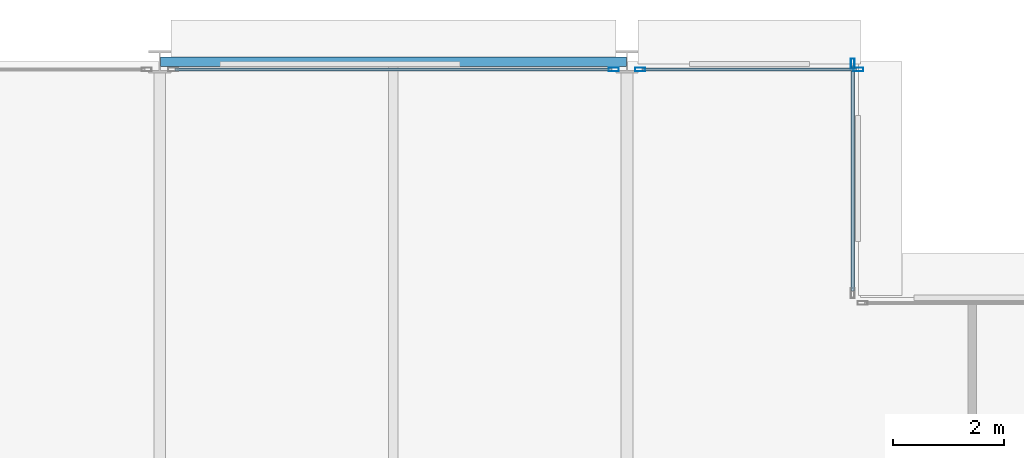
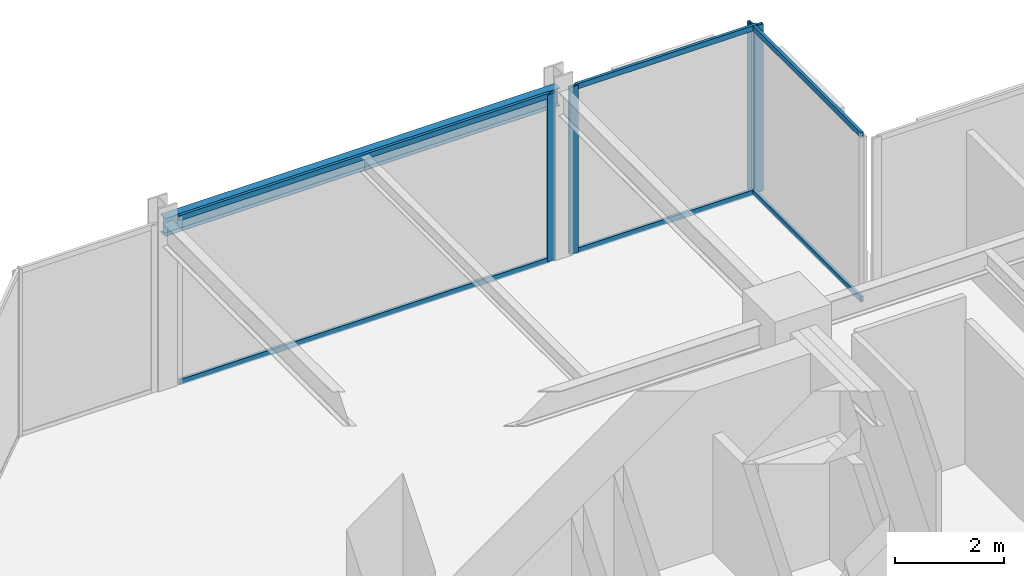
# One storey, part 30 of 40: 10 members, 1 beam, 3 elements without a shape of their own.
"""IFC4 building model written with IfcOpenShell, lengths in metres."""

from ifc_helpers import new_model, si_unit, direction, frame, origin, origin_2d, place, context, subcontext, project, spatial, hollow_rectangle, i_section, extrude, material, layer, layer_set, material_profile, profile_set, type_object, element, aggregate, save


model = new_model("IFC4")

# Units and contexts
model_context = context("Model", 3, precision=1e-05, world=origin(), true_north=direction((0.0, 1.0)))
body_context = subcontext(model_context, "Body", "Model", "MODEL_VIEW")
ifc_project = project(units=[si_unit("LENGTHUNIT", "METRE"), si_unit("AREAUNIT", "SQUARE_METRE"), si_unit("VOLUMEUNIT", "CUBIC_METRE"), si_unit("PLANEANGLEUNIT", "RADIAN"), si_unit("MASSUNIT", "GRAM", prefix="KILO")], contexts=[model_context])

# Site, building, storey
site_placement = place(None, origin())
site = spatial("IfcSite", under=ifc_project, at=site_placement, CompositionType="ELEMENT")
building_placement = place(site_placement, origin())
building = spatial("IfcBuilding", under=site, at=building_placement, Name="Nerrivon Quay Data Exchange", CompositionType="ELEMENT")
storey_placement = place(building_placement, frame((0.0, 0.0, 109.0)))
storey = spatial("IfcBuildingStorey", under=building, at=storey_placement, Name="L25", CompositionType="ELEMENT", Elevation=109.0)

# Beam
ifc_material_1 = material(Name="Steel Grade 350", Category="steel")
ifc_material_profile_1 = material_profile(ifc_material_1, i_section(OverallWidth=0.177978515625, OverallDepth=0.403076171875, WebThickness=0.007568359375, FlangeThickness=0.010986328125, FilletRadius=0.011474609375, at=origin_2d()), Name="410UB53.7")
ifc_profile_set_1 = profile_set([ifc_material_profile_1], Name="Steel Grade 350")
beam_type = type_object("IfcBeamType", Name="BM-SP2-410UB54", PredefinedType="SPANDREL", material=ifc_profile_set_1)
beam_placement = place(storey_placement, frame((8.41259765625, 50.39990234375, 3.548583984375), z_axis=(1.0, 0.0, 0.0), x_axis=(0.0, 1.0, 0.0)))
element("IfcBeam", 1, at=beam_placement, inside=storey, type_object=beam_type, Name="L25 EW Girder Y=50.4 (8.4..16.8)", PredefinedType="SPANDREL", context=body_context, shape_type="SweptSolid", body=[
    extrude(i_section(OverallWidth=0.177978515625, OverallDepth=0.403076171875, WebThickness=0.007568359375, FlangeThickness=0.010986328125, FilletRadius=0.011474609375, at=origin_2d()), origin(), (0.0, 0.0, 1.0), 8.375),
])

# Curtain wall, member
ifc_material_2 = material(Name="Anodised aluminium 6063-T6", Category="aluminium")
ifc_layer = layer(ifc_material_2, 0.2099609375)
ifc_layer_set = layer_set([ifc_layer], Name="Anodised aluminium 6063-T6")
curtain_wall_type = type_object("IfcCurtainWallType", Name="CW-SYS-02", PredefinedType="NOTDEFINED", material=ifc_layer_set)
curtain_wall_1_placement = place(storey_placement, origin())
curtain_wall_1 = element("IfcCurtainWall", 2, at=curtain_wall_1_placement, inside=storey, type_object=curtain_wall_type, Name="L25 Unitised Curtain Wall 25", PredefinedType="NOTDEFINED")
ifc_material_profile_2 = material_profile(ifc_material_2, hollow_rectangle(XDim=0.06494140625, YDim=0.179931640625, WallThickness=0.00341796875, at=origin_2d()), Name="ALU-MULL-180x65")
ifc_profile_set_2 = profile_set([ifc_material_profile_2], Name="Anodised aluminium 6063-T6")
member_type_1 = type_object("IfcMemberType", Name="CWM-180x65", PredefinedType="MULLION", material=ifc_profile_set_2)
member_1_placement = place(storey_placement, frame((16.5625, 50.260009765625, 0.0), z_axis=(0.0, 0.0, 1.0), x_axis=(0.0, 1.0, 0.0)))
member_1 = element("IfcMember", 3, at=member_1_placement, type_object=member_type_1, Name="CW02 mullion 2", PredefinedType="MULLION", context=body_context, shape_type="SweptSolid", body=[
    extrude(hollow_rectangle(XDim=0.06494140625, YDim=0.179931640625, WallThickness=0.00341796875, at=origin_2d()), origin(), (0.0, 0.0, 1.0), 3.75),
])

# Curtain wall, members
curtain_wall_2_placement = place(storey_placement, origin())
curtain_wall_2 = element("IfcCurtainWall", 4, at=curtain_wall_2_placement, inside=storey, type_object=curtain_wall_type, Name="L25 Unitised Curtain Wall 26", PredefinedType="NOTDEFINED")
member_2_placement = place(storey_placement, frame((17.03759765625, 50.260009765625, 0.0), z_axis=(0.0, 0.0, 1.0), x_axis=(0.0, 1.0, 0.0)))
member_2 = element("IfcMember", 5, at=member_2_placement, type_object=member_type_1, Name="CW02 mullion 1", PredefinedType="MULLION", context=body_context, shape_type="SweptSolid", body=[
    extrude(hollow_rectangle(XDim=0.06494140625, YDim=0.179931640625, WallThickness=0.00341796875, at=origin_2d()), origin(), (0.0, 0.0, 1.0), 3.75),
])
member_3_placement = place(storey_placement, frame((20.96240234375, 50.260009765625, 0.0), z_axis=(0.0, 0.0, 1.0), x_axis=(0.0, 1.0, 0.0)))
member_3 = element("IfcMember", 6, at=member_3_placement, type_object=member_type_1, Name="CW02 mullion 2", PredefinedType="MULLION", context=body_context, shape_type="SweptSolid", body=[
    extrude(hollow_rectangle(XDim=0.06494140625, YDim=0.179931640625, WallThickness=0.00341796875, at=origin_2d()), origin(), (0.0, 0.0, 1.0), 3.75),
])

# Curtain wall, member
curtain_wall_3_placement = place(storey_placement, origin())
curtain_wall_3 = element("IfcCurtainWall", 7, at=curtain_wall_3_placement, inside=storey, type_object=curtain_wall_type, Name="L25 Unitised Curtain Wall 27", PredefinedType="NOTDEFINED")
member_4_placement = place(storey_placement, frame((20.860107421875, 50.362548828125, 0.0), z_axis=(0.0, 0.0, 1.0), x_axis=(1.0, 0.0, 0.0)))
member_4 = element("IfcMember", 8, at=member_4_placement, type_object=member_type_1, Name="CW02 mullion 1", PredefinedType="MULLION", context=body_context, shape_type="SweptSolid", body=[
    extrude(hollow_rectangle(XDim=0.06494140625, YDim=0.179931640625, WallThickness=0.00341796875, at=origin_2d()), origin(), (0.0, 0.0, 1.0), 3.75),
])

# Member
ifc_material_profile_3 = material_profile(ifc_material_2, hollow_rectangle(XDim=0.06005859375, YDim=0.1201171875, WallThickness=0.003173828125, at=origin_2d()), Name="ALU-TRAN-120x60")
ifc_profile_set_3 = profile_set([ifc_material_profile_3], Name="Anodised aluminium 6063-T6")
member_type_2 = type_object("IfcMemberType", Name="CWT-120x60", PredefinedType="USERDEFINED", material=ifc_profile_set_3)
member_5_placement = place(storey_placement, frame((8.675048828125, 50.260009765625, 0.032470703125), z_axis=(1.0, 0.0, 0.0), x_axis=(0.0, 1.0, 0.0)))
member_5 = element("IfcMember", 9, at=member_5_placement, type_object=member_type_2, Name="CW02 transom 1.1", ObjectType="TRANSOM", PredefinedType="USERDEFINED", context=body_context, shape_type="SweptSolid", body=[
    extrude(hollow_rectangle(XDim=0.06005859375, YDim=0.1201171875, WallThickness=0.003173828125, at=origin_2d()), origin(), (0.0, 0.0, 1.0), 7.849853515625),
])

member_6_placement = place(storey_placement, frame((8.675048828125, 50.260009765625, 3.717529296875), z_axis=(1.0, 0.0, 0.0), x_axis=(0.0, 1.0, 0.0)))
member_6 = element("IfcMember", 10, at=member_6_placement, type_object=member_type_2, Name="CW02 transom 1.2", ObjectType="TRANSOM", PredefinedType="USERDEFINED", context=body_context, shape_type="SweptSolid", body=[
    extrude(hollow_rectangle(XDim=0.06005859375, YDim=0.1201171875, WallThickness=0.003173828125, at=origin_2d()), origin(), (0.0, 0.0, 1.0), 7.849853515625),
])

aggregate(curtain_wall_1, [member_1, member_5, member_6])

member_7_placement = place(storey_placement, frame((17.074951171875, 50.260009765625, 0.032470703125), z_axis=(1.0, 0.0, 0.0), x_axis=(0.0, 1.0, 0.0)))
member_7 = element("IfcMember", 11, at=member_7_placement, type_object=member_type_2, Name="CW02 transom 1.1", ObjectType="TRANSOM", PredefinedType="USERDEFINED", context=body_context, shape_type="SweptSolid", body=[
    extrude(hollow_rectangle(XDim=0.06005859375, YDim=0.1201171875, WallThickness=0.003173828125, at=origin_2d()), origin(), (0.0, 0.0, 1.0), 3.85009765625),
])

member_8_placement = place(storey_placement, frame((17.074951171875, 50.260009765625, 3.717529296875), z_axis=(1.0, 0.0, 0.0), x_axis=(0.0, 1.0, 0.0)))
member_8 = element("IfcMember", 12, at=member_8_placement, type_object=member_type_2, Name="CW02 transom 1.2", ObjectType="TRANSOM", PredefinedType="USERDEFINED", context=body_context, shape_type="SweptSolid", body=[
    extrude(hollow_rectangle(XDim=0.06005859375, YDim=0.1201171875, WallThickness=0.003173828125, at=origin_2d()), origin(), (0.0, 0.0, 1.0), 3.85009765625),
])

aggregate(curtain_wall_2, [member_2, member_3, member_7, member_8])

member_9_placement = place(storey_placement, frame((20.860107421875, 50.324951171875, 0.032470703125), z_axis=(0.0, -1.0, 0.0), x_axis=(1.0, 0.0, 0.0)))
member_9 = element("IfcMember", 13, at=member_9_placement, type_object=member_type_2, Name="CW02 transom 1.1", ObjectType="TRANSOM", PredefinedType="USERDEFINED", context=body_context, shape_type="SweptSolid", body=[
    extrude(hollow_rectangle(XDim=0.06005859375, YDim=0.1201171875, WallThickness=0.003173828125, at=origin_2d()), origin(), (0.0, 0.0, 1.0), 4.050048828125),
])

member_10_placement = place(storey_placement, frame((20.860107421875, 50.324951171875, 3.717529296875), z_axis=(0.0, -1.0, 0.0), x_axis=(1.0, 0.0, 0.0)))
member_10 = element("IfcMember", 14, at=member_10_placement, type_object=member_type_2, Name="CW02 transom 1.2", ObjectType="TRANSOM", PredefinedType="USERDEFINED", context=body_context, shape_type="SweptSolid", body=[
    extrude(hollow_rectangle(XDim=0.06005859375, YDim=0.1201171875, WallThickness=0.003173828125, at=origin_2d()), origin(), (0.0, 0.0, 1.0), 4.050048828125),
])

aggregate(curtain_wall_3, [member_4, member_9, member_10])

save(model, "model.ifc")
